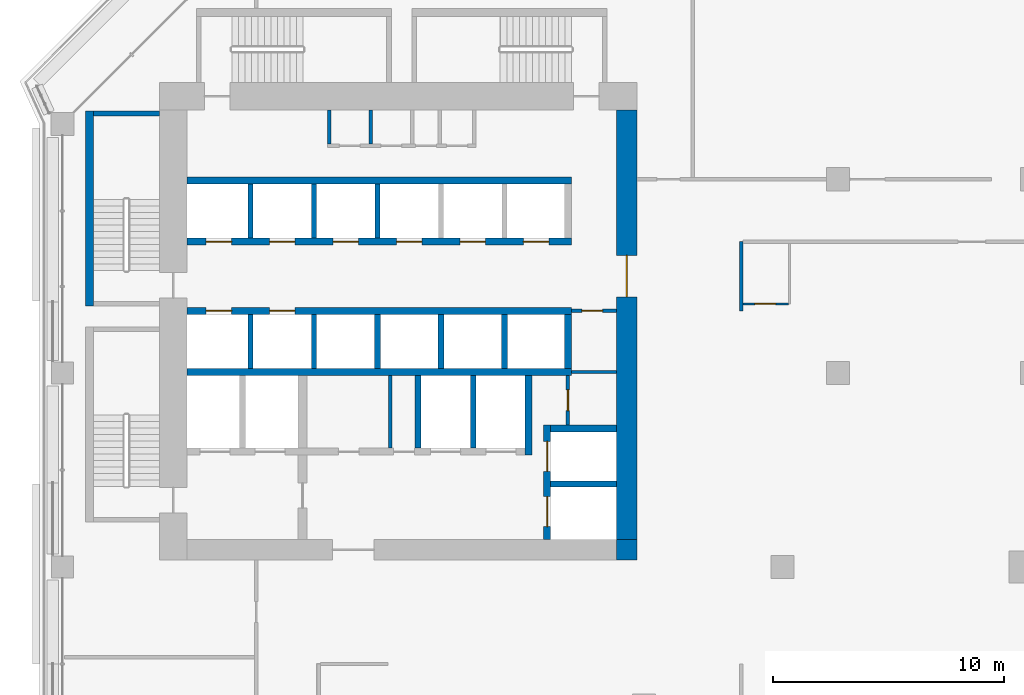
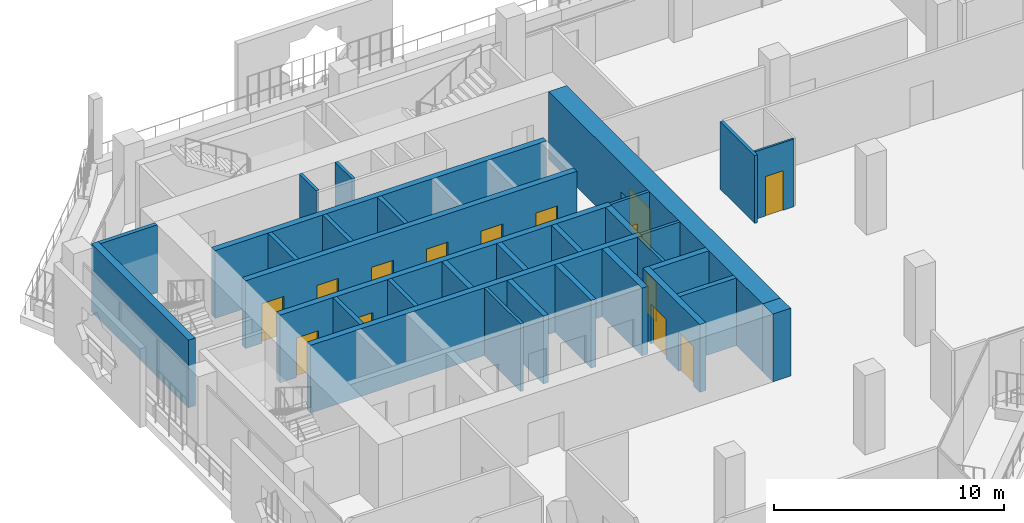
# One storey, part 12 of 23: 31 walls, 14 doors, 14 openings.
"""IFC4 building model written with IfcOpenShell, lengths in metres."""

from ifc_helpers import new_model, si_unit, direction, frame, frame_2d, origin, place, context, subcontext, project, spatial, rectangle, extrude, material, layer, layer_set, type_object, element, fill, save


model = new_model("IFC4")

# Units and contexts
model_context = context("Model", 3, precision=1e-05, world=origin(), true_north=direction((0.0, 1.0)))
body_context = subcontext(model_context, "Body", "Model", "MODEL_VIEW")
ifc_project = project(units=[si_unit("LENGTHUNIT", "METRE"), si_unit("AREAUNIT", "SQUARE_METRE"), si_unit("VOLUMEUNIT", "CUBIC_METRE"), si_unit("PLANEANGLEUNIT", "RADIAN"), si_unit("MASSUNIT", "GRAM", prefix="KILO")], contexts=[model_context])

# Site, building, storey
site_placement = place(None, origin())
site = spatial("IfcSite", under=ifc_project, at=site_placement, CompositionType="ELEMENT")
building_placement = place(site_placement, origin())
building = spatial("IfcBuilding", under=site, at=building_placement, Name="Kawkab Arch Medical Tower", CompositionType="ELEMENT")
storey_placement = place(building_placement, frame((0.0, 0.0, 158.39990234375)))
storey = spatial("IfcBuildingStorey", under=building, at=storey_placement, Name="L36", CompositionType="ELEMENT", Elevation=158.39990234375)

# Wall, opening, door
ifc_material_1 = material(Name="Concrete C55/67", Category="concrete")
ifc_layer_1 = layer(ifc_material_1, 0.89990234375)
ifc_layer_set_1 = layer_set([ifc_layer_1], Name="Concrete C55/67")
wall_type_1 = type_object("IfcWallType", Name="Core ring wall 900 C55/67", PredefinedType="SHEAR", material=ifc_layer_set_1)
wall_1_placement = place(storey_placement, frame((24.449951171875, -24.0, 0.0), z_axis=(0.0, 0.0, 1.0), x_axis=(0.0, 1.0, 0.0)))
wall_1 = element("IfcWall", 1, at=wall_1_placement, inside=storey, type_object=wall_type_1, Name="L36 core wall", PredefinedType="SHEAR", context=body_context, shape_type="SweptSolid", body=[
    extrude(rectangle(XDim=18.60009765625, YDim=0.89990234375, at=frame_2d((9.300048828125, 0.0))), origin(), (0.0, 0.0, 1.0), 3.60009765625),
])
opening_1_placement = place(wall_1_placement, frame((10.5, 0.0, 0.0)))
opening_1 = element("IfcOpeningElement", 2, at=opening_1_placement, cuts=wall_1, Name="Opening PD", PredefinedType="OPENING", context=body_context, shape_type="SweptSolid", body=[
    extrude(rectangle(XDim=1.800048828125, YDim=2.10009765625, at=frame_2d((0.89990234375, 1.050048828125))), frame((0.0, 0.4599609375, 0.0), z_axis=(0.0, -1.0, 0.0), x_axis=(1.0, 0.0, 0.0)), (0.0, 0.0, 1.0), 0.919921875),
])
ifc_material_2 = material(Name="Hollow metal fire door leaf")
door_type_1 = type_object("IfcDoorType", Name="Core entrance doors 1800", OperationType="DOUBLE_DOOR_SINGLE_SWING", PredefinedType="DOOR", material=ifc_material_2)
door_1_placement = place(opening_1_placement, origin())
door_1 = element("IfcDoor", 3, at=door_1_placement, inside=storey, type_object=door_type_1, Name="L36 East entrance doors", OperationType="DOUBLE_DOOR_SINGLE_SWING", OverallHeight=2.10009765625, OverallWidth=1.800048828125, PredefinedType="DOOR", context=body_context, shape_type="SweptSolid", body=[
    extrude(rectangle(XDim=1.800048828125, YDim=2.10009765625, at=frame_2d((0.89990234375, 1.050048828125))), frame((0.0, 0.02490234375, 0.0), z_axis=(0.0, -1.0, 0.0), x_axis=(1.0, 0.0, 0.0)), (0.0, 0.0, 1.0), 0.050048828125),
])
fill(opening_1, door_1)

# Wall
wall_2_placement = place(storey_placement, frame((24.449951171875, -24.89990234375, 0.0), z_axis=(0.0, 0.0, 1.0), x_axis=(0.0, 1.0, 0.0)))
element("IfcWall", 4, at=wall_2_placement, inside=storey, type_object=wall_type_1, Name="L36 core wall", PredefinedType="SHEAR", context=body_context, shape_type="SweptSolid", body=[
    extrude(rectangle(XDim=0.89990234375, YDim=0.89990234375, at=frame_2d((0.449951171875, 0.0))), origin(), (0.0, 0.0, 1.0), 3.60009765625),
])

# Wall, opening, door
ifc_material_3 = material(Name="Gypsum board on steel studs", Category="steel")
ifc_layer_2 = layer(ifc_material_3, 0.14990234375)
ifc_layer_set_2 = layer_set([ifc_layer_2], Name="Gypsum board on steel studs")
wall_type_2 = type_object("IfcWallType", Name="Core room partition 150", PredefinedType="PARTITIONING", material=ifc_layer_set_2)
wall_3_placement = place(storey_placement, frame((21.89990234375, -19.050048828125, 0.0), z_axis=(0.0, 0.0, 1.0), x_axis=(0.0, 1.0, 0.0)))
wall_3 = element("IfcWall", 5, at=wall_3_placement, inside=storey, type_object=wall_type_2, Name="L36 core room partition", PredefinedType="PARTITIONING", context=body_context, shape_type="SweptSolid", body=[
    extrude(rectangle(XDim=2.150146484375, YDim=0.14990234375, at=frame_2d((1.0751953125, 0.0))), origin(), (0.0, 0.0, 1.0), 3.60009765625),
])
opening_2_placement = place(wall_3_placement, frame((0.625, 0.0, 0.0)))
opening_2 = element("IfcOpeningElement", 6, at=opening_2_placement, cuts=wall_3, Name="Opening RD", PredefinedType="OPENING", context=body_context, shape_type="SweptSolid", body=[
    extrude(rectangle(XDim=0.89990234375, YDim=2.10009765625, at=frame_2d((0.449951171875, 1.050048828125))), frame((0.0, 0.0849609375, 0.0), z_axis=(0.0, -1.0, 0.0), x_axis=(1.0, 0.0, 0.0)), (0.0, 0.0, 1.0), 0.169921875),
])
ifc_material_4 = material(Name="Hollow metal fire door leaf")
door_type_2 = type_object("IfcDoorType", Name="Core room door 900", OperationType="SINGLE_SWING_LEFT", PredefinedType="DOOR", material=ifc_material_4)
door_2_placement = place(opening_2_placement, origin())
door_2 = element("IfcDoor", 7, at=door_2_placement, inside=storey, type_object=door_type_2, Name="L36 Staff WC door", OperationType="SINGLE_SWING_LEFT", OverallHeight=2.10009765625, OverallWidth=0.89990234375, PredefinedType="DOOR", context=body_context, shape_type="SweptSolid", body=[
    extrude(rectangle(XDim=0.89990234375, YDim=2.10009765625, at=frame_2d((0.449951171875, 1.050048828125))), frame((0.0, 0.02490234375, 0.0), z_axis=(0.0, -1.0, 0.0), x_axis=(1.0, 0.0, 0.0)), (0.0, 0.0, 1.0), 0.050048828125),
])
fill(opening_2, door_2)

# Wall
wall_4_placement = place(storey_placement, frame((22.050048828125, -16.75, 0.0), z_axis=(0.0, 0.0, 1.0), x_axis=(1.0, 0.0, 0.0)))
element("IfcWall", 8, at=wall_4_placement, inside=storey, type_object=wall_type_2, Name="L36 core room partition", PredefinedType="PARTITIONING", context=body_context, shape_type="SweptSolid", body=[
    extrude(rectangle(XDim=1.949951171875, YDim=0.14990234375, at=frame_2d((0.97509765625, 0.0))), origin(), (0.0, 0.0, 1.0), 3.60009765625),
])

# Wall, opening, door
wall_5_placement = place(storey_placement, frame((22.050048828125, -14.10009765625, 0.0), z_axis=(0.0, 0.0, 1.0), x_axis=(1.0, 0.0, 0.0)))
wall_5 = element("IfcWall", 9, at=wall_5_placement, inside=storey, type_object=wall_type_2, Name="L36 core room partition", PredefinedType="PARTITIONING", context=body_context, shape_type="SweptSolid", body=[
    extrude(rectangle(XDim=1.949951171875, YDim=0.14990234375, at=frame_2d((0.97509765625, 0.0))), origin(), (0.0, 0.0, 1.0), 3.60009765625),
])
opening_3_placement = place(wall_5_placement, frame((0.449951171875, 0.0, 0.0)))
opening_3 = element("IfcOpeningElement", 10, at=opening_3_placement, cuts=wall_5, Name="Opening RD", PredefinedType="OPENING", context=body_context, shape_type="SweptSolid", body=[
    extrude(rectangle(XDim=0.89990234375, YDim=2.10009765625, at=frame_2d((0.449951171875, 1.050048828125))), frame((0.0, 0.0849609375, 0.0), z_axis=(0.0, -1.0, 0.0), x_axis=(1.0, 0.0, 0.0)), (0.0, 0.0, 1.0), 0.169921875),
])
door_3_placement = place(opening_3_placement, origin())
door_3 = element("IfcDoor", 11, at=door_3_placement, inside=storey, type_object=door_type_2, Name="L36 UPS room door", OperationType="SINGLE_SWING_LEFT", OverallHeight=2.10009765625, OverallWidth=0.89990234375, PredefinedType="DOOR", context=body_context, shape_type="SweptSolid", body=[
    extrude(rectangle(XDim=0.89990234375, YDim=2.10009765625, at=frame_2d((0.449951171875, 1.050048828125))), frame((0.0, 0.02490234375, 0.0), z_axis=(0.0, -1.0, 0.0), x_axis=(1.0, 0.0, 0.0)), (0.0, 0.0, 1.0), 0.050048828125),
])
fill(opening_3, door_3)

# Walls
for number, where, z_axis, x_axis, name in (
    (12, (11.550048828125, -6.875, 0.0), (0.0, 0.0, 1.0), (0.0, 1.0, 0.0), "L36 core room partition"),
    (13, (13.35009765625, -6.875, 0.0), (0.0, 0.0, 1.0), (0.0, 1.0, 0.0), "L36 core room partition"),
):
    element("IfcWall", number, at=place(storey_placement, frame(where, z_axis=z_axis, x_axis=x_axis)), inside=storey, type_object=wall_type_2, Name=name, PredefinedType="PARTITIONING", context=body_context, shape_type="SweptSolid", body=[
        extrude(rectangle(XDim=1.47509765625, YDim=0.14990234375, at=frame_2d((0.737548828125, 0.0))), origin(), (0.0, 0.0, 1.0), 3.60009765625),
    ])
wall_6_placement = place(storey_placement, frame((14.199951171875, -20.050048828125, 0.0), z_axis=(0.0, 0.0, 1.0), x_axis=(0.0, 1.0, 0.0)))
element("IfcWall", 14, at=wall_6_placement, inside=storey, type_object=wall_type_2, Name="L36 core room partition", PredefinedType="PARTITIONING", context=body_context, shape_type="SweptSolid", body=[
    extrude(rectangle(XDim=3.150146484375, YDim=0.14990234375, at=frame_2d((1.5751953125, 0.0))), origin(), (0.0, 0.0, 1.0), 3.60009765625),
])
ifc_material_5 = material(Name="Concrete C60/75", Category="concrete")
ifc_layer_3 = layer(ifc_material_5, 0.25)
ifc_layer_set_3 = layer_set([ifc_layer_3], Name="Concrete C60/75")
wall_type_3 = type_object("IfcWallType", Name="Core shear wall 250 C60/75", PredefinedType="SHEAR", material=ifc_layer_set_3)
wall_7_placement = place(storey_placement, frame((21.14990234375, -21.60009765625, 0.0), z_axis=(0.0, 0.0, 1.0), x_axis=(1.0, 0.0, 0.0)))
element("IfcWall", 15, at=wall_7_placement, inside=storey, type_object=wall_type_3, Name="L36 core shear wall", PredefinedType="SHEAR", context=body_context, shape_type="SweptSolid", body=[
    extrude(rectangle(XDim=2.85009765625, YDim=0.25, at=frame_2d((1.425048828125, 0.0))), origin(), (0.0, 0.0, 1.0), 3.60009765625),
])
for number, where, z_axis, x_axis, name in (
    (16, (15.39990234375, -20.050048828125, 0.0), (0.0, 0.0, 1.0), (0.0, 1.0, 0.0), "L36 core shear wall"),
    (17, (17.800048828125, -20.050048828125, 0.0), (0.0, 0.0, 1.0), (0.0, 1.0, 0.0), "L36 core shear wall"),
):
    element("IfcWall", number, at=place(storey_placement, frame(where, z_axis=z_axis, x_axis=x_axis)), inside=storey, type_object=wall_type_3, Name=name, PredefinedType="SHEAR", context=body_context, shape_type="SweptSolid", body=[
        extrude(rectangle(XDim=3.150146484375, YDim=0.25, at=frame_2d((1.5751953125, 0.0))), origin(), (0.0, 0.0, 1.0), 3.60009765625),
    ])
for number, where, z_axis, x_axis, name in (
    (18, (13.64990234375, -16.60009765625, 0.0), (0.0, 0.0, 1.0), (0.0, 1.0, 0.0), "L36 core shear wall"),
    (19, (16.39990234375, -16.60009765625, 0.0), (0.0, 0.0, 1.0), (0.0, 1.0, 0.0), "L36 core shear wall"),
    (20, (19.14990234375, -16.60009765625, 0.0), (0.0, 0.0, 1.0), (0.0, 1.0, 0.0), "L36 core shear wall"),
):
    element("IfcWall", number, at=place(storey_placement, frame(where, z_axis=z_axis, x_axis=x_axis)), inside=storey, type_object=wall_type_3, Name=name, PredefinedType="SHEAR", context=body_context, shape_type="SweptSolid", body=[
        extrude(rectangle(XDim=2.35009765625, YDim=0.25, at=frame_2d((1.175048828125, 0.0))), origin(), (0.0, 0.0, 1.0), 3.60009765625),
    ])
ifc_material_6 = material(Name="Concrete C60/75", Category="concrete")
ifc_layer_4 = layer(ifc_material_6, 0.300048828125)
ifc_layer_set_4 = layer_set([ifc_layer_4], Name="Concrete C60/75")
wall_type_4 = type_object("IfcWallType", Name="Core shear wall 300 C60/75", PredefinedType="SHEAR", material=ifc_layer_set_4)
wall_8_placement = place(storey_placement, frame((5.39990234375, -8.449951171875, 0.0), z_axis=(0.0, 0.0, 1.0), x_axis=(1.0, 0.0, 0.0)))
element("IfcWall", 21, at=wall_8_placement, inside=storey, type_object=wall_type_4, Name="L36 core shear wall", PredefinedType="SHEAR", context=body_context, shape_type="SweptSolid", body=[
    extrude(rectangle(XDim=16.650146484375, YDim=0.300048828125, at=frame_2d((8.3251953125, 0.0))), origin(), (0.0, 0.0, 1.0), 3.60009765625),
])

# Wall, openings, doors
wall_9_placement = place(storey_placement, frame((5.39990234375, -11.10009765625, 0.0), z_axis=(0.0, 0.0, 1.0), x_axis=(1.0, 0.0, 0.0)))
wall_9 = element("IfcWall", 22, at=wall_9_placement, inside=storey, type_object=wall_type_4, Name="L36 core shear wall", PredefinedType="SHEAR", context=body_context, shape_type="SweptSolid", body=[
    extrude(rectangle(XDim=16.650146484375, YDim=0.300048828125, at=frame_2d((8.3251953125, 0.0))), origin(), (0.0, 0.0, 1.0), 3.60009765625),
])
opening_4_placement = place(wall_9_placement, frame((0.824951171875, 0.0, 0.0)))
opening_4 = element("IfcOpeningElement", 23, at=opening_4_placement, cuts=wall_9, Name="Opening LD1", PredefinedType="OPENING", context=body_context, shape_type="SweptSolid", body=[
    extrude(rectangle(XDim=1.10009765625, YDim=2.10009765625, at=frame_2d((0.550048828125, 1.050048828125))), frame((0.0, 0.159912109375, 0.0), z_axis=(0.0, -1.0, 0.0), x_axis=(1.0, 0.0, 0.0)), (0.0, 0.0, 1.0), 0.320068359375),
])
opening_5_placement = place(wall_9_placement, frame((3.574951171875, 0.0, 0.0)))
opening_5 = element("IfcOpeningElement", 24, at=opening_5_placement, cuts=wall_9, Name="Opening LD1", PredefinedType="OPENING", context=body_context, shape_type="SweptSolid", body=[
    extrude(rectangle(XDim=1.10009765625, YDim=2.10009765625, at=frame_2d((0.550048828125, 1.050048828125))), frame((0.0, 0.159912109375, 0.0), z_axis=(0.0, -1.0, 0.0), x_axis=(1.0, 0.0, 0.0)), (0.0, 0.0, 1.0), 0.320068359375),
])
opening_6_placement = place(wall_9_placement, frame((6.324951171875, 0.0, 0.0)))
opening_6 = element("IfcOpeningElement", 25, at=opening_6_placement, cuts=wall_9, Name="Opening LD1", PredefinedType="OPENING", context=body_context, shape_type="SweptSolid", body=[
    extrude(rectangle(XDim=1.10009765625, YDim=2.10009765625, at=frame_2d((0.550048828125, 1.050048828125))), frame((0.0, 0.159912109375, 0.0), z_axis=(0.0, -1.0, 0.0), x_axis=(1.0, 0.0, 0.0)), (0.0, 0.0, 1.0), 0.320068359375),
])
opening_7_placement = place(wall_9_placement, frame((9.074951171875, 0.0, 0.0)))
opening_7 = element("IfcOpeningElement", 26, at=opening_7_placement, cuts=wall_9, Name="Opening LD1", PredefinedType="OPENING", context=body_context, shape_type="SweptSolid", body=[
    extrude(rectangle(XDim=1.10009765625, YDim=2.10009765625, at=frame_2d((0.550048828125, 1.050048828125))), frame((0.0, 0.159912109375, 0.0), z_axis=(0.0, -1.0, 0.0), x_axis=(1.0, 0.0, 0.0)), (0.0, 0.0, 1.0), 0.320068359375),
])
opening_8_placement = place(wall_9_placement, frame((11.824951171875, 0.0, 0.0)))
opening_8 = element("IfcOpeningElement", 27, at=opening_8_placement, cuts=wall_9, Name="Opening LD1", PredefinedType="OPENING", context=body_context, shape_type="SweptSolid", body=[
    extrude(rectangle(XDim=1.10009765625, YDim=2.10009765625, at=frame_2d((0.550048828125, 1.050048828125))), frame((0.0, 0.159912109375, 0.0), z_axis=(0.0, -1.0, 0.0), x_axis=(1.0, 0.0, 0.0)), (0.0, 0.0, 1.0), 0.320068359375),
])
opening_9_placement = place(wall_9_placement, frame((14.574951171875, 0.0, 0.0)))
opening_9 = element("IfcOpeningElement", 28, at=opening_9_placement, cuts=wall_9, Name="Opening LD1", PredefinedType="OPENING", context=body_context, shape_type="SweptSolid", body=[
    extrude(rectangle(XDim=1.10009765625, YDim=2.10009765625, at=frame_2d((0.550048828125, 1.050048828125))), frame((0.0, 0.159912109375, 0.0), z_axis=(0.0, -1.0, 0.0), x_axis=(1.0, 0.0, 0.0)), (0.0, 0.0, 1.0), 0.320068359375),
])
ifc_material_7 = material(Name="Stainless steel lift door leaf", Category="steel")
door_type_3 = type_object("IfcDoorType", Name="Lift landing door 1100", OperationType="DOUBLE_DOOR_SLIDING", PredefinedType="DOOR", material=ifc_material_7)
door_4_placement = place(opening_4_placement, origin())
door_4 = element("IfcDoor", 29, at=door_4_placement, inside=storey, type_object=door_type_3, Name="L36 Lift landing door LP1", OperationType="DOUBLE_DOOR_SLIDING", OverallHeight=2.10009765625, OverallWidth=1.10009765625, PredefinedType="DOOR", context=body_context, shape_type="SweptSolid", body=[
    extrude(rectangle(XDim=1.10009765625, YDim=2.10009765625, at=frame_2d((0.550048828125, 1.050048828125))), frame((0.0, 0.02490234375, 0.0), z_axis=(0.0, -1.0, 0.0), x_axis=(1.0, 0.0, 0.0)), (0.0, 0.0, 1.0), 0.050048828125),
])
fill(opening_4, door_4)
door_5_placement = place(opening_5_placement, origin())
door_5 = element("IfcDoor", 30, at=door_5_placement, inside=storey, type_object=door_type_3, Name="L36 Lift landing door LP2", OperationType="DOUBLE_DOOR_SLIDING", OverallHeight=2.10009765625, OverallWidth=1.10009765625, PredefinedType="DOOR", context=body_context, shape_type="SweptSolid", body=[
    extrude(rectangle(XDim=1.10009765625, YDim=2.10009765625, at=frame_2d((0.550048828125, 1.050048828125))), frame((0.0, 0.02490234375, 0.0), z_axis=(0.0, -1.0, 0.0), x_axis=(1.0, 0.0, 0.0)), (0.0, 0.0, 1.0), 0.050048828125),
])
fill(opening_5, door_5)
door_6_placement = place(opening_6_placement, origin())
door_6 = element("IfcDoor", 31, at=door_6_placement, inside=storey, type_object=door_type_3, Name="L36 Lift landing door LP3", OperationType="DOUBLE_DOOR_SLIDING", OverallHeight=2.10009765625, OverallWidth=1.10009765625, PredefinedType="DOOR", context=body_context, shape_type="SweptSolid", body=[
    extrude(rectangle(XDim=1.10009765625, YDim=2.10009765625, at=frame_2d((0.550048828125, 1.050048828125))), frame((0.0, 0.02490234375, 0.0), z_axis=(0.0, -1.0, 0.0), x_axis=(1.0, 0.0, 0.0)), (0.0, 0.0, 1.0), 0.050048828125),
])
fill(opening_6, door_6)
door_7_placement = place(opening_7_placement, origin())
door_7 = element("IfcDoor", 32, at=door_7_placement, inside=storey, type_object=door_type_3, Name="L36 Lift landing door LP4", OperationType="DOUBLE_DOOR_SLIDING", OverallHeight=2.10009765625, OverallWidth=1.10009765625, PredefinedType="DOOR", context=body_context, shape_type="SweptSolid", body=[
    extrude(rectangle(XDim=1.10009765625, YDim=2.10009765625, at=frame_2d((0.550048828125, 1.050048828125))), frame((0.0, 0.02490234375, 0.0), z_axis=(0.0, -1.0, 0.0), x_axis=(1.0, 0.0, 0.0)), (0.0, 0.0, 1.0), 0.050048828125),
])
fill(opening_7, door_7)
door_8_placement = place(opening_8_placement, origin())
door_8 = element("IfcDoor", 33, at=door_8_placement, inside=storey, type_object=door_type_3, Name="L36 Lift landing door MP1", OperationType="DOUBLE_DOOR_SLIDING", OverallHeight=2.10009765625, OverallWidth=1.10009765625, PredefinedType="DOOR", context=body_context, shape_type="SweptSolid", body=[
    extrude(rectangle(XDim=1.10009765625, YDim=2.10009765625, at=frame_2d((0.550048828125, 1.050048828125))), frame((0.0, 0.02490234375, 0.0), z_axis=(0.0, -1.0, 0.0), x_axis=(1.0, 0.0, 0.0)), (0.0, 0.0, 1.0), 0.050048828125),
])
fill(opening_8, door_8)
door_9_placement = place(opening_9_placement, origin())
door_9 = element("IfcDoor", 34, at=door_9_placement, inside=storey, type_object=door_type_3, Name="L36 Lift landing door MP2", OperationType="DOUBLE_DOOR_SLIDING", OverallHeight=2.10009765625, OverallWidth=1.10009765625, PredefinedType="DOOR", context=body_context, shape_type="SweptSolid", body=[
    extrude(rectangle(XDim=1.10009765625, YDim=2.10009765625, at=frame_2d((0.550048828125, 1.050048828125))), frame((0.0, 0.02490234375, 0.0), z_axis=(0.0, -1.0, 0.0), x_axis=(1.0, 0.0, 0.0)), (0.0, 0.0, 1.0), 0.050048828125),
])
fill(opening_9, door_9)

wall_10_placement = place(storey_placement, frame((5.39990234375, -14.10009765625, 0.0), z_axis=(0.0, 0.0, 1.0), x_axis=(1.0, 0.0, 0.0)))
wall_10 = element("IfcWall", 35, at=wall_10_placement, inside=storey, type_object=wall_type_4, Name="L36 core shear wall", PredefinedType="SHEAR", context=body_context, shape_type="SweptSolid", body=[
    extrude(rectangle(XDim=16.650146484375, YDim=0.300048828125, at=frame_2d((8.3251953125, 0.0))), origin(), (0.0, 0.0, 1.0), 3.60009765625),
])
opening_10_placement = place(wall_10_placement, frame((0.824951171875, 0.0, 0.0)))
opening_10 = element("IfcOpeningElement", 36, at=opening_10_placement, cuts=wall_10, Name="Opening LD1", PredefinedType="OPENING", context=body_context, shape_type="SweptSolid", body=[
    extrude(rectangle(XDim=1.10009765625, YDim=2.10009765625, at=frame_2d((0.550048828125, 1.050048828125))), frame((0.0, 0.159912109375, 0.0), z_axis=(0.0, -1.0, 0.0), x_axis=(1.0, 0.0, 0.0)), (0.0, 0.0, 1.0), 0.320068359375),
])
opening_11_placement = place(wall_10_placement, frame((3.574951171875, 0.0, 0.0)))
opening_11 = element("IfcOpeningElement", 37, at=opening_11_placement, cuts=wall_10, Name="Opening LD1", PredefinedType="OPENING", context=body_context, shape_type="SweptSolid", body=[
    extrude(rectangle(XDim=1.10009765625, YDim=2.10009765625, at=frame_2d((0.550048828125, 1.050048828125))), frame((0.0, 0.159912109375, 0.0), z_axis=(0.0, -1.0, 0.0), x_axis=(1.0, 0.0, 0.0)), (0.0, 0.0, 1.0), 0.320068359375),
])
door_10_placement = place(opening_10_placement, origin())
door_10 = element("IfcDoor", 38, at=door_10_placement, inside=storey, type_object=door_type_3, Name="L36 Lift landing door MP3", OperationType="DOUBLE_DOOR_SLIDING", OverallHeight=2.10009765625, OverallWidth=1.10009765625, PredefinedType="DOOR", context=body_context, shape_type="SweptSolid", body=[
    extrude(rectangle(XDim=1.10009765625, YDim=2.10009765625, at=frame_2d((0.550048828125, 1.050048828125))), frame((0.0, 0.02490234375, 0.0), z_axis=(0.0, -1.0, 0.0), x_axis=(1.0, 0.0, 0.0)), (0.0, 0.0, 1.0), 0.050048828125),
])
fill(opening_10, door_10)
door_11_placement = place(opening_11_placement, origin())
door_11 = element("IfcDoor", 39, at=door_11_placement, inside=storey, type_object=door_type_3, Name="L36 Lift landing door MP4", OperationType="DOUBLE_DOOR_SLIDING", OverallHeight=2.10009765625, OverallWidth=1.10009765625, PredefinedType="DOOR", context=body_context, shape_type="SweptSolid", body=[
    extrude(rectangle(XDim=1.10009765625, YDim=2.10009765625, at=frame_2d((0.550048828125, 1.050048828125))), frame((0.0, 0.02490234375, 0.0), z_axis=(0.0, -1.0, 0.0), x_axis=(1.0, 0.0, 0.0)), (0.0, 0.0, 1.0), 0.050048828125),
])
fill(opening_11, door_11)

# Walls
wall_11_placement = place(storey_placement, frame((5.39990234375, -16.75, 0.0), z_axis=(0.0, 0.0, 1.0), x_axis=(1.0, 0.0, 0.0)))
element("IfcWall", 40, at=wall_11_placement, inside=storey, type_object=wall_type_4, Name="L36 core shear wall", PredefinedType="SHEAR", context=body_context, shape_type="SweptSolid", body=[
    extrude(rectangle(XDim=16.650146484375, YDim=0.300048828125, at=frame_2d((8.3251953125, 0.0))), origin(), (0.0, 0.0, 1.0), 3.60009765625),
])
wall_12_placement = place(storey_placement, frame((20.199951171875, -20.35009765625, 0.0), z_axis=(0.0, 0.0, 1.0), x_axis=(0.0, 1.0, 0.0)))
element("IfcWall", 41, at=wall_12_placement, inside=storey, type_object=wall_type_4, Name="L36 core shear wall", PredefinedType="SHEAR", context=body_context, shape_type="SweptSolid", body=[
    extrude(rectangle(XDim=3.4501953125, YDim=0.300048828125, at=frame_2d((1.72509765625, 0.0))), origin(), (0.0, 0.0, 1.0), 3.60009765625),
])
wall_13_placement = place(storey_placement, frame((21.89990234375, -16.60009765625, 0.0), z_axis=(0.0, 0.0, 1.0), x_axis=(0.0, 1.0, 0.0)))
element("IfcWall", 42, at=wall_13_placement, inside=storey, type_object=wall_type_4, Name="L36 core shear wall", PredefinedType="SHEAR", context=body_context, shape_type="SweptSolid", body=[
    extrude(rectangle(XDim=2.35009765625, YDim=0.300048828125, at=frame_2d((1.175048828125, 0.0))), origin(), (0.0, 0.0, 1.0), 3.60009765625),
])
wall_14_placement = place(storey_placement, frame((21.14990234375, -19.199951171875, 0.0), z_axis=(0.0, 0.0, 1.0), x_axis=(1.0, 0.0, 0.0)))
element("IfcWall", 43, at=wall_14_placement, inside=storey, type_object=wall_type_4, Name="L36 core shear wall", PredefinedType="SHEAR", context=body_context, shape_type="SweptSolid", body=[
    extrude(rectangle(XDim=2.85009765625, YDim=0.300048828125, at=frame_2d((1.425048828125, 0.0))), origin(), (0.0, 0.0, 1.0), 3.60009765625),
])

# Wall, openings, doors
wall_15_placement = place(storey_placement, frame((21.0, -24.0, 0.0), z_axis=(0.0, 0.0, 1.0), x_axis=(0.0, 1.0, 0.0)))
wall_15 = element("IfcWall", 44, at=wall_15_placement, inside=storey, type_object=wall_type_4, Name="L36 core shear wall", PredefinedType="SHEAR", context=body_context, shape_type="SweptSolid", body=[
    extrude(rectangle(XDim=4.949951171875, YDim=0.300048828125, at=frame_2d((2.47509765625, 0.0))), origin(), (0.0, 0.0, 1.0), 3.60009765625),
])
opening_12_placement = place(wall_15_placement, frame((2.949951171875, 0.0, 0.0)))
opening_12 = element("IfcOpeningElement", 45, at=opening_12_placement, cuts=wall_15, Name="Opening LD2", PredefinedType="OPENING", context=body_context, shape_type="SweptSolid", body=[
    extrude(rectangle(XDim=1.300048828125, YDim=2.10009765625, at=frame_2d((0.64990234375, 1.050048828125))), frame((0.0, 0.159912109375, 0.0), z_axis=(0.0, -1.0, 0.0), x_axis=(1.0, 0.0, 0.0)), (0.0, 0.0, 1.0), 0.320068359375),
])
opening_13_placement = place(wall_15_placement, frame((0.550048828125, 0.0, 0.0)))
opening_13 = element("IfcOpeningElement", 46, at=opening_13_placement, cuts=wall_15, Name="Opening LD2", PredefinedType="OPENING", context=body_context, shape_type="SweptSolid", body=[
    extrude(rectangle(XDim=1.300048828125, YDim=2.10009765625, at=frame_2d((0.64990234375, 1.050048828125))), frame((0.0, 0.159912109375, 0.0), z_axis=(0.0, -1.0, 0.0), x_axis=(1.0, 0.0, 0.0)), (0.0, 0.0, 1.0), 0.320068359375),
])
ifc_material_8 = material(Name="Stainless steel lift door leaf", Category="steel")
door_type_4 = type_object("IfcDoorType", Name="Lift landing door 1300", OperationType="DOUBLE_DOOR_SLIDING", PredefinedType="DOOR", material=ifc_material_8)
door_12_placement = place(opening_12_placement, origin())
door_12 = element("IfcDoor", 47, at=door_12_placement, inside=storey, type_object=door_type_4, Name="L36 Lift landing door BD1", OperationType="DOUBLE_DOOR_SLIDING", OverallHeight=2.10009765625, OverallWidth=1.300048828125, PredefinedType="DOOR", context=body_context, shape_type="SweptSolid", body=[
    extrude(rectangle(XDim=1.300048828125, YDim=2.10009765625, at=frame_2d((0.64990234375, 1.050048828125))), frame((0.0, 0.02490234375, 0.0), z_axis=(0.0, -1.0, 0.0), x_axis=(1.0, 0.0, 0.0)), (0.0, 0.0, 1.0), 0.050048828125),
])
fill(opening_12, door_12)
door_13_placement = place(opening_13_placement, origin())
door_13 = element("IfcDoor", 48, at=door_13_placement, inside=storey, type_object=door_type_4, Name="L36 Lift landing door BD2", OperationType="DOUBLE_DOOR_SLIDING", OverallHeight=2.10009765625, OverallWidth=1.300048828125, PredefinedType="DOOR", context=body_context, shape_type="SweptSolid", body=[
    extrude(rectangle(XDim=1.300048828125, YDim=2.10009765625, at=frame_2d((0.64990234375, 1.050048828125))), frame((0.0, 0.02490234375, 0.0), z_axis=(0.0, -1.0, 0.0), x_axis=(1.0, 0.0, 0.0)), (0.0, 0.0, 1.0), 0.050048828125),
])
fill(opening_13, door_13)

# Walls
ifc_material_9 = material(Name="Dense concrete blockwork", Category="masonry")
ifc_layer_5 = layer(ifc_material_9, 0.199951171875)
ifc_layer_set_5 = layer_set([ifc_layer_5], Name="Dense concrete blockwork")
wall_type_5 = type_object("IfcWallType", Name="Lift shaft partition 200", PredefinedType="PARTITIONING", material=ifc_layer_set_5)
for number, where, z_axis, x_axis, name in (
    (49, (8.14990234375, -10.949951171875, 0.0), (0.0, 0.0, 1.0), (0.0, 1.0, 0.0), "L36 lift shaft partition"),
    (50, (10.89990234375, -10.949951171875, 0.0), (0.0, 0.0, 1.0), (0.0, 1.0, 0.0), "L36 lift shaft partition"),
    (51, (13.64990234375, -10.949951171875, 0.0), (0.0, 0.0, 1.0), (0.0, 1.0, 0.0), "L36 lift shaft partition"),
):
    element("IfcWall", number, at=place(storey_placement, frame(where, z_axis=z_axis, x_axis=x_axis)), inside=storey, type_object=wall_type_5, Name=name, PredefinedType="PARTITIONING", context=body_context, shape_type="SweptSolid", body=[
        extrude(rectangle(XDim=2.349853515625, YDim=0.199951171875, at=frame_2d((1.1748046875, 0.0))), origin(), (0.0, 0.0, 1.0), 3.60009765625),
    ])
for number, where, z_axis, x_axis, name in (
    (52, (8.14990234375, -16.60009765625, 0.0), (0.0, 0.0, 1.0), (0.0, 1.0, 0.0), "L36 lift shaft partition"),
    (53, (10.89990234375, -16.60009765625, 0.0), (0.0, 0.0, 1.0), (0.0, 1.0, 0.0), "L36 lift shaft partition"),
):
    element("IfcWall", number, at=place(storey_placement, frame(where, z_axis=z_axis, x_axis=x_axis)), inside=storey, type_object=wall_type_5, Name=name, PredefinedType="PARTITIONING", context=body_context, shape_type="SweptSolid", body=[
        extrude(rectangle(XDim=2.35009765625, YDim=0.199951171875, at=frame_2d((1.175048828125, 0.0))), origin(), (0.0, 0.0, 1.0), 3.60009765625),
    ])

# Wall, opening, door
ifc_material_10 = material(Name="Gypsum board partition on steel studs", Category="steel")
ifc_layer_6 = layer(ifc_material_10, 0.10009765625)
ifc_layer_set_6 = layer_set([ifc_layer_6], Name="Gypsum board partition on steel studs")
wall_type_6 = type_object("IfcWallType", Name="Partition 100", PredefinedType="PARTITIONING", material=ifc_layer_set_6)
wall_16_placement = place(storey_placement, frame((29.47509765625, -13.800048828125, 0.0), z_axis=(0.0, 0.0, 1.0), x_axis=(1.0, 0.0, 0.0)))
wall_16 = element("IfcWall", 54, at=wall_16_placement, inside=storey, type_object=wall_type_6, Name="Partition 100 w001", PredefinedType="PARTITIONING", context=body_context, shape_type="SweptSolid", body=[
    extrude(rectangle(XDim=1.974853515625, YDim=0.10009765625, at=frame_2d((0.9873046875, 0.0))), origin(), (0.0, 0.0, 1.0), 3.60009765625),
])
opening_14_placement = place(wall_16_placement, frame((0.52490234375, 0.0, 0.0)))
opening_14 = element("IfcOpeningElement", 55, at=opening_14_placement, cuts=wall_16, Name="Opening B36-008", PredefinedType="OPENING", context=body_context, shape_type="SweptSolid", body=[
    extrude(rectangle(XDim=0.89990234375, YDim=2.10009765625, at=frame_2d((0.449951171875, 1.050048828125))), frame((0.0, 0.06005859375, 0.0), z_axis=(0.0, -1.0, 0.0), x_axis=(1.0, 0.0, 0.0)), (0.0, 0.0, 1.0), 0.1201171875),
])
ifc_material_11 = material(Name="Timber door leaf", Category="wood")
door_type_5 = type_object("IfcDoorType", Name="Single door 900x2100", OperationType="NOTDEFINED", PredefinedType="DOOR", material=ifc_material_11)
door_14_placement = place(opening_14_placement, origin())
door_14 = element("IfcDoor", 56, at=door_14_placement, inside=storey, type_object=door_type_5, Name="Door B36-008", OperationType="SINGLE_SWING_LEFT", OverallHeight=2.10009765625, OverallWidth=0.89990234375, PredefinedType="DOOR", context=body_context, shape_type="SweptSolid", body=[
    extrude(rectangle(XDim=0.89990234375, YDim=2.10009765625, at=frame_2d((0.449951171875, 1.050048828125))), frame((0.0, 0.02490234375, 0.0), z_axis=(0.0, -1.0, 0.0), x_axis=(1.0, 0.0, 0.0)), (0.0, 0.0, 1.0), 0.050048828125),
])
fill(opening_14, door_14)

# Walls
ifc_material_12 = material(Name="Gypsum board partition on steel studs, mineral wool", Category="steel")
ifc_layer_7 = layer(ifc_material_12, 0.14990234375)
ifc_layer_set_7 = layer_set([ifc_layer_7], Name="Gypsum board partition on steel studs, mineral wool")
wall_type_7 = type_object("IfcWallType", Name="Partition 150", PredefinedType="PARTITIONING", material=ifc_layer_set_7)
wall_17_placement = place(storey_placement, frame((29.39990234375, -14.10009765625, 0.0), z_axis=(0.0, 0.0, 1.0), x_axis=(0.0, 1.0, 0.0)))
element("IfcWall", 57, at=wall_17_placement, inside=storey, type_object=wall_type_7, Name="Partition 150 w025", PredefinedType="PARTITIONING", context=body_context, shape_type="SweptSolid", body=[
    extrude(rectangle(XDim=3.0, YDim=0.14990234375, at=frame_2d((1.5, 0.0))), origin(), (0.0, 0.0, 1.0), 3.60009765625),
])
ifc_material_13 = material(Name="Concrete C50/60", Category="concrete")
ifc_layer_8 = layer(ifc_material_13, 0.199951171875)
ifc_layer_set_8 = layer_set([ifc_layer_8], Name="Concrete C50/60")
wall_type_8 = type_object("IfcWallType", Name="Stair enclosure wall 200 C50/60", PredefinedType="SHEAR", material=ifc_layer_set_8)
wall_18_placement = place(storey_placement, frame((1.35009765625, -5.550048828125, 0.0), z_axis=(0.0, 0.0, 1.0), x_axis=(1.0, 0.0, 0.0)))
element("IfcWall", 58, at=wall_18_placement, inside=storey, type_object=wall_type_8, Name="L36 stair enclosure wall", PredefinedType="SHEAR", context=body_context, shape_type="SweptSolid", body=[
    extrude(rectangle(XDim=2.849853515625, YDim=0.199951171875, at=frame_2d((1.4248046875, 0.0))), origin(), (0.0, 0.0, 1.0), 3.60009765625),
])
ifc_material_14 = material(Name="Concrete C50/60", Category="concrete")
ifc_layer_9 = layer(ifc_material_14, 0.35009765625)
ifc_layer_set_9 = layer_set([ifc_layer_9], Name="Concrete C50/60")
wall_type_9 = type_object("IfcWallType", Name="Stair enclosure wall 350 C50/60", PredefinedType="SHEAR", material=ifc_layer_set_9)
wall_19_placement = place(storey_placement, frame((1.175048828125, -13.89990234375, 0.0), z_axis=(0.0, 0.0, 1.0), x_axis=(0.0, 1.0, 0.0)))
element("IfcWall", 59, at=wall_19_placement, inside=storey, type_object=wall_type_9, Name="L36 stair enclosure wall", PredefinedType="SHEAR", context=body_context, shape_type="SweptSolid", body=[
    extrude(rectangle(XDim=8.449951171875, YDim=0.35009765625, at=frame_2d((4.22509765625, 0.0))), origin(), (0.0, 0.0, 1.0), 3.60009765625),
])

save(model, "model.ifc")
